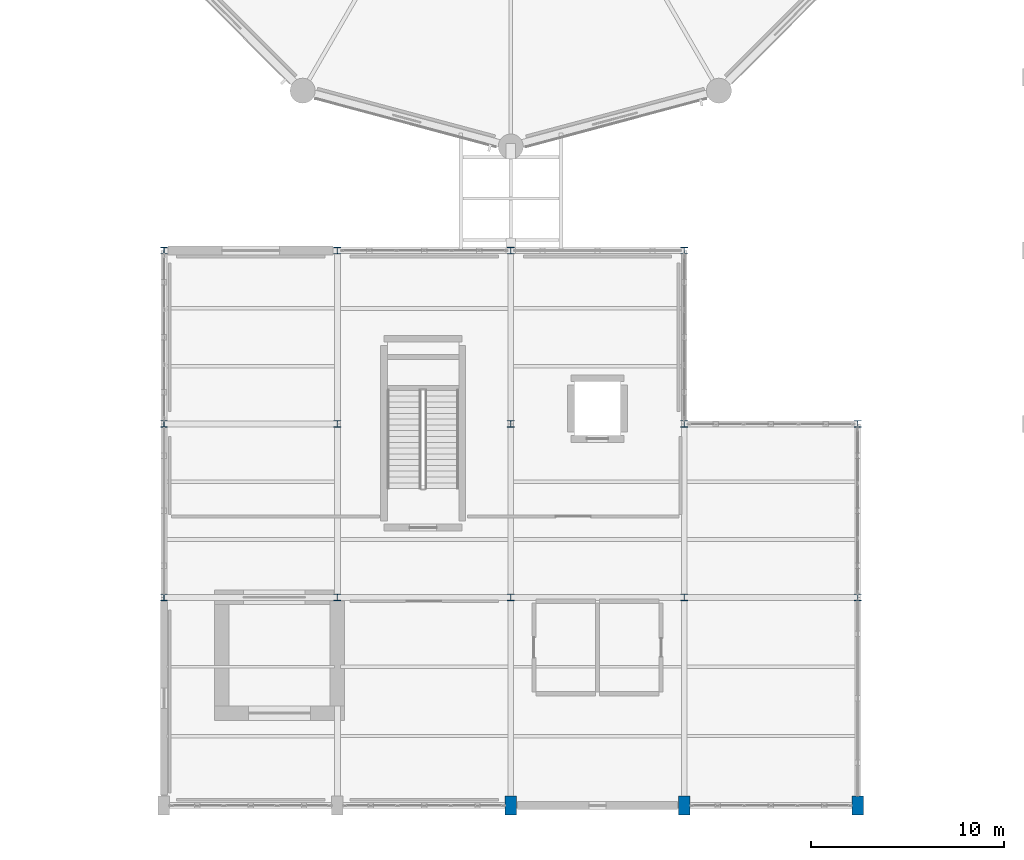
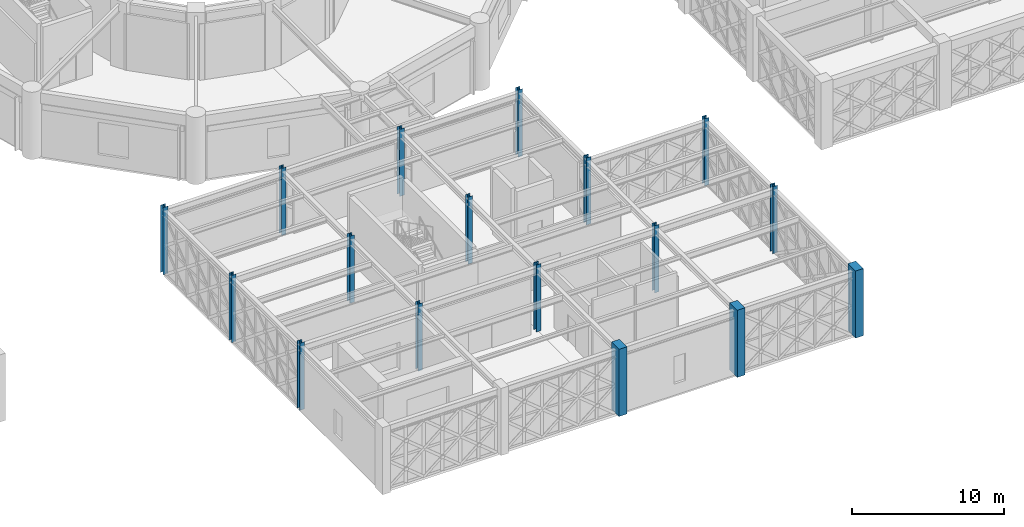
# One storey, part 2 of 166: 17 columns.
"""IFC4 building model written with IfcOpenShell, lengths in metres."""

from ifc_helpers import new_model, si_unit, direction, frame, origin, origin_2d, place, context, subcontext, project, spatial, rectangle, i_section, extrude, material, material_profile, profile_set, type_object, element, save


model = new_model("IFC4")

# Units and contexts
model_context = context("Model", 3, precision=1e-05, world=origin(), true_north=direction((0.0, 1.0)))
body_context = subcontext(model_context, "Body", "Model", "MODEL_VIEW")
ifc_project = project(units=[si_unit("LENGTHUNIT", "METRE"), si_unit("AREAUNIT", "SQUARE_METRE"), si_unit("VOLUMEUNIT", "CUBIC_METRE"), si_unit("PLANEANGLEUNIT", "RADIAN"), si_unit("MASSUNIT", "GRAM", prefix="KILO")], contexts=[model_context])

# Site, building, storey
site_placement = place(None, origin())
site = spatial("IfcSite", under=ifc_project, at=site_placement, CompositionType="ELEMENT")
building_placement = place(site_placement, origin())
building = spatial("IfcBuilding", under=site, at=building_placement, Name="Haizhuo Lancet Aquarium", CompositionType="ELEMENT")
storey_placement = place(building_placement, frame((0.0, 0.0, 5.39990234375)))
storey = spatial("IfcBuildingStorey", under=building, at=storey_placement, Name="L01", CompositionType="ELEMENT", Elevation=5.39990234375)

# Columns
ifc_material_1 = material(Name="Steel S355", Category="steel")
ifc_material_profile_1 = material_profile(ifc_material_1, i_section(OverallWidth=0.35009765625, OverallDepth=0.35009765625, WebThickness=0.011962890625, FlangeThickness=0.01904296875, FilletRadius=0.02001953125, at=origin_2d()), Name="HW 350x350x12x19")
ifc_profile_set_1 = profile_set([ifc_material_profile_1], Name="Steel S355")
column_type_1 = type_object("IfcColumnType", Name="COL-ST-HW350", PredefinedType="COLUMN", material=ifc_profile_set_1)
for number, where, z_axis, x_axis, name in (
    (1, (-18.0, -45.0, 0.0), (0.0, 0.0, 1.0), (1.0, 0.0, 0.0), "L01 column V4-COL-067"),
    (2, (-18.0, -36.0, 0.0), (0.0, 0.0, 1.0), (1.0, 0.0, 0.0), "L01 column V4-COL-068"),
    (3, (-18.0, -27.0, 0.0), (0.0, 0.0, 1.0), (1.0, 0.0, 0.0), "L01 column V4-COL-069"),
    (4, (-9.0, -45.0, 0.0), (0.0, 0.0, 1.0), (1.0, 0.0, 0.0), "L01 column V4-COL-071"),
    (5, (-9.0, -36.0, 0.0), (0.0, 0.0, 1.0), (1.0, 0.0, 0.0), "L01 column V4-COL-072"),
    (6, (-9.0, -27.0, 0.0), (0.0, 0.0, 1.0), (1.0, 0.0, 0.0), "L01 column V4-COL-073"),
    (7, (0.0, -45.0, 0.0), (0.0, 0.0, 1.0), (1.0, 0.0, 0.0), "L01 column V4-COL-075"),
    (8, (0.0, -36.0, 0.0), (0.0, 0.0, 1.0), (1.0, 0.0, 0.0), "L01 column V4-COL-076"),
    (9, (0.0, -27.0, 0.0), (0.0, 0.0, 1.0), (1.0, 0.0, 0.0), "L01 column V4-COL-077"),
    (10, (9.0, -45.0, 0.0), (0.0, 0.0, 1.0), (1.0, 0.0, 0.0), "L01 column V4-COL-079"),
    (11, (9.0, -36.0, 0.0), (0.0, 0.0, 1.0), (1.0, 0.0, 0.0), "L01 column V4-COL-080"),
    (12, (9.0, -27.0, 0.0), (0.0, 0.0, 1.0), (1.0, 0.0, 0.0), "L01 column V4-COL-081"),
    (13, (18.0, -45.0, 0.0), (0.0, 0.0, 1.0), (1.0, 0.0, 0.0), "L01 column V4-COL-083"),
    (14, (18.0, -36.0, 0.0), (0.0, 0.0, 1.0), (1.0, 0.0, 0.0), "L01 column V4-COL-084"),
):
    element("IfcColumn", number, at=place(storey_placement, frame(where, z_axis=z_axis, x_axis=x_axis)), inside=storey, type_object=column_type_1, Name=name, PredefinedType="COLUMN", context=body_context, shape_type="SweptSolid", body=[
        extrude(i_section(OverallWidth=0.35009765625, OverallDepth=0.35009765625, WebThickness=0.011962890625, FlangeThickness=0.01904296875, FilletRadius=0.02001953125, at=origin_2d()), origin(), (0.0, 0.0, 1.0), 5.400146484375),
    ])
ifc_material_2 = material(Name="Concrete C45/55", Category="concrete")
ifc_material_profile_2 = material_profile(ifc_material_2, rectangle(XDim=0.60009765625, YDim=1.0, at=origin_2d()), Name="RC-PIL 600x1000")
ifc_profile_set_2 = profile_set([ifc_material_profile_2], Name="Concrete C45/55")
column_type_2 = type_object("IfcColumnType", Name="PIL-RC-600x1000", PredefinedType="PILASTER", material=ifc_profile_set_2)
for number, where, z_axis, x_axis, name in (
    (15, (0.0, -55.800048828125, 0.0), (0.0, 0.0, 1.0), (1.0, 0.0, 0.0), "L01 column V4-COL-074"),
    (16, (9.0, -55.800048828125, 0.0), (0.0, 0.0, 1.0), (1.0, 0.0, 0.0), "L01 column V4-COL-078"),
    (17, (18.0, -55.800048828125, 0.0), (0.0, 0.0, 1.0), (1.0, 0.0, 0.0), "L01 column V4-COL-082"),
):
    element("IfcColumn", number, at=place(storey_placement, frame(where, z_axis=z_axis, x_axis=x_axis)), inside=storey, type_object=column_type_2, Name=name, PredefinedType="PILASTER", context=body_context, shape_type="SweptSolid", body=[
        extrude(rectangle(XDim=0.60009765625, YDim=1.0, at=origin_2d()), origin(), (0.0, 0.0, 1.0), 5.400146484375),
    ])

save(model, "model.ifc")
